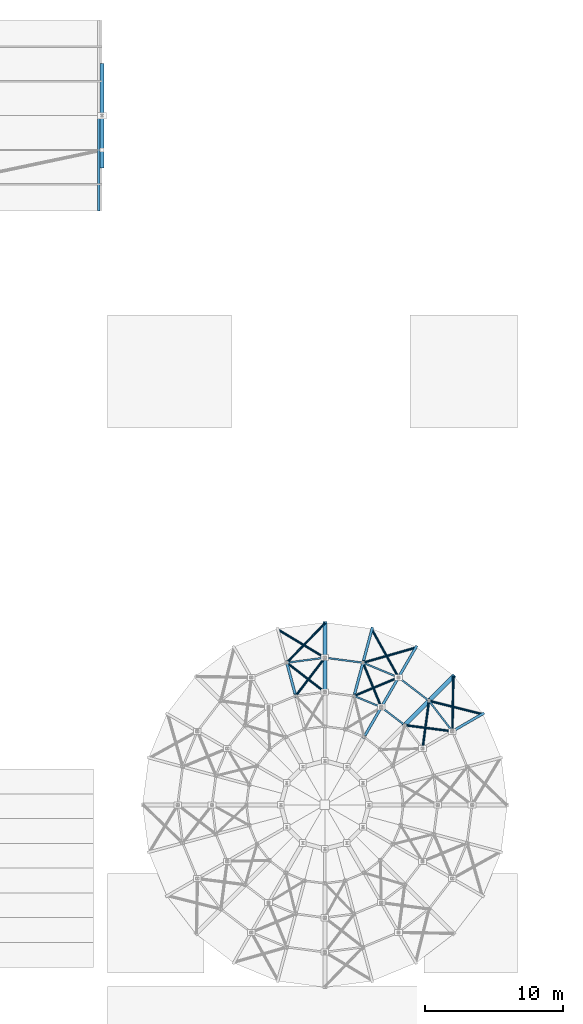
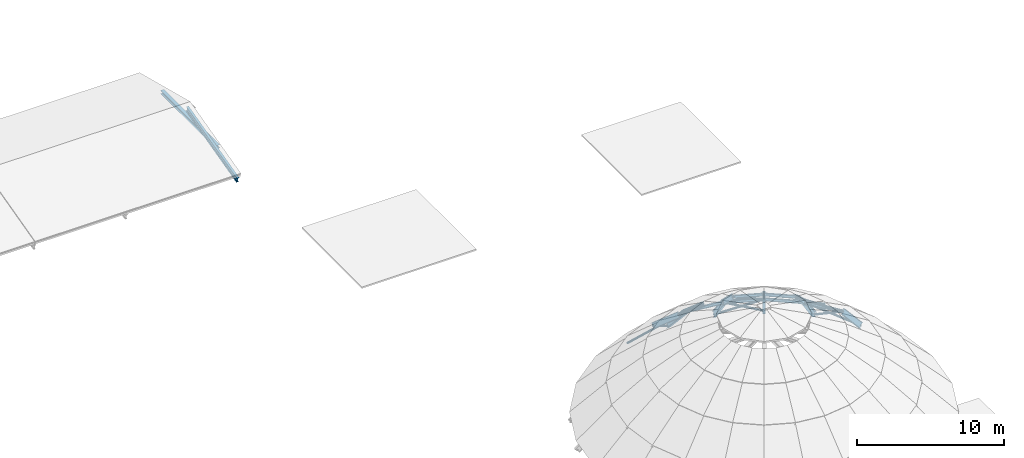
# One storey, part 18 of 31: 32 members.
"""IFC4 building model written with IfcOpenShell, lengths in metres."""

from ifc_helpers import new_model, si_unit, direction, frame, origin, origin_2d, place, context, subcontext, project, spatial, hollow_circle, i_section, extrude, material, material_profile, profile_set, type_object, element, save


model = new_model("IFC4")

# Units and contexts
model_context = context("Model", 3, precision=1e-05, world=origin(), true_north=direction((0.0, 1.0)))
body_context = subcontext(model_context, "Body", "Model", "MODEL_VIEW")
ifc_project = project(units=[si_unit("LENGTHUNIT", "METRE"), si_unit("AREAUNIT", "SQUARE_METRE"), si_unit("VOLUMEUNIT", "CUBIC_METRE"), si_unit("PLANEANGLEUNIT", "RADIAN"), si_unit("MASSUNIT", "GRAM", prefix="KILO")], contexts=[model_context])

# Site, building, storey
site_placement = place(None, origin())
site = spatial("IfcSite", under=ifc_project, at=site_placement, CompositionType="ELEMENT")
building_placement = place(site_placement, origin())
building = spatial("IfcBuilding", under=site, at=building_placement, Name="Clarverna Civic Hall", CompositionType="ELEMENT")
storey_placement = place(building_placement, frame((0.0, 0.0, 31.199951171875)))
storey = spatial("IfcBuildingStorey", under=building, at=storey_placement, Name="RF", CompositionType="ELEMENT", Elevation=31.199951171875)

# Members
ifc_material = material(Name="Steel S355", Category="steel")
ifc_material_profile_1 = material_profile(ifc_material, i_section(OverallWidth=0.280029296875, OverallDepth=0.27001953125, WebThickness=0.008056640625, FlangeThickness=0.012939453125, FilletRadius=0.02392578125, at=origin_2d()), Name="HEA 280")
ifc_profile_set_1 = profile_set([ifc_material_profile_1], Name="Steel S355")
member_type_1 = type_object("IfcMemberType", Name="CH-01", PredefinedType="CHORD", material=ifc_profile_set_1)
member_1_placement = place(storey_placement, frame((66.60009765625, 105.304931640625, -10.346923828125), z_axis=(0.0, 1.0, 0.0), x_axis=(-1.0, 0.0, 0.0)))
element("IfcMember", 1, at=member_1_placement, inside=storey, type_object=member_type_1, Name="CH-01-009", PredefinedType="CHORD", context=body_context, shape_type="SweptSolid", body=[
    extrude(i_section(OverallWidth=0.280029296875, OverallDepth=0.27001953125, WebThickness=0.008056640625, FlangeThickness=0.012939453125, FilletRadius=0.02392578125, at=origin_2d()), origin(), (0.0, 0.0, 1.0), 7.590087890625),
])
ifc_material_profile_2 = material_profile(ifc_material, i_section(OverallWidth=0.300048828125, OverallDepth=0.360107421875, WebThickness=0.012451171875, FlangeThickness=0.0224609375, FilletRadius=0.027099609375, at=origin_2d()), Name="HEB 360")
ifc_profile_set_2 = profile_set([ifc_material_profile_2], Name="Steel S355")
member_type_2 = type_object("IfcMemberType", Name="DR-01", PredefinedType="RAFTER", material=ifc_profile_set_2)
for number, where, z_axis, x_axis, name in (
    (2, (92.1337890625, 68.333740234375, -10.800048828125), (-0.480403409268, -0.480403409268, 0.733774576234), (0.707106781187, -0.707106781187, 0.0), "DR-01-002"),
    (3, (82.800048828125, 72.199951171875, -10.800048828125), (0.0, -0.679381571114, 0.733785173488), (1.0, 0.0, 0.0), "DR-01-003"),
):
    element("IfcMember", number, at=place(storey_placement, frame(where, z_axis=z_axis, x_axis=x_axis)), inside=storey, type_object=member_type_2, Name=name, PredefinedType="RAFTER", context=body_context, shape_type="SweptSolid", body=[
        extrude(i_section(OverallWidth=0.300048828125, OverallDepth=0.360107421875, WebThickness=0.012451171875, FlangeThickness=0.0224609375, FilletRadius=0.027099609375, at=origin_2d()), origin(), (0.0, 0.0, 1.0), 3.679931640625),
    ])
member_2_placement = place(storey_placement, frame((90.365966796875, 66.56591796875, -8.099853515625), z_axis=(-0.536103898201, -0.536103898201, 0.652062282812), x_axis=(0.707106781187, -0.707106781187, 0.0)))
element("IfcMember", 4, at=member_2_placement, inside=storey, type_object=member_type_2, Name="DR-01-010", PredefinedType="RAFTER", context=body_context, shape_type="SweptSolid", body=[
    extrude(i_section(OverallWidth=0.300048828125, OverallDepth=0.360107421875, WebThickness=0.012451171875, FlangeThickness=0.0224609375, FilletRadius=0.027099609375, at=origin_2d()), origin(), (0.0, 0.0, 1.0), 3.297119140625),
])
member_3_placement = place(storey_placement, frame((82.800048828125, 69.699951171875, -8.099853515625), z_axis=(0.0, -0.758199837863, 0.652022243381), x_axis=(1.0, 0.0, 0.0)))
element("IfcMember", 5, at=member_3_placement, inside=storey, type_object=member_type_2, Name="DR-01-011", PredefinedType="RAFTER", context=body_context, shape_type="SweptSolid", body=[
    extrude(i_section(OverallWidth=0.300048828125, OverallDepth=0.360107421875, WebThickness=0.012451171875, FlangeThickness=0.0224609375, FilletRadius=0.027099609375, at=origin_2d()), origin(), (0.0, 0.0, 1.0), 3.29736328125),
])
ifc_material_profile_3 = material_profile(ifc_material, i_section(OverallWidth=0.18994140625, OverallDepth=0.449951171875, WebThickness=0.009521484375, FlangeThickness=0.0146484375, FilletRadius=0.02099609375, at=origin_2d()), Name="IPE 450")
ifc_profile_set_3 = profile_set([ifc_material_profile_3], Name="Steel S355")
member_type_3 = type_object("IfcMemberType", Name="DR-02", PredefinedType="RAFTER", material=ifc_profile_set_3)
for number, where, z_axis, x_axis, name in (
    (6, (94.2314453125, 65.60009765625, -10.800048828125), (-0.588357355682, -0.339692113339, 0.733788041705), (0.500004234368, -0.866022959057, 0.0), "DR-02-002"),
    (7, (89.39990234375, 70.431396484375, -10.800048828125), (-0.339705373326, -0.588313973688, 0.733816685349), (0.865998541277, -0.500046524342, 0.0), "DR-02-003"),
    (8, (86.21630859375, 71.750244140625, -10.800048828125), (-0.175817765481, -0.656231516366, 0.733790372157), (0.965932795341, -0.258793034845, 0.0), "DR-02-004"),
):
    element("IfcMember", number, at=place(storey_placement, frame(where, z_axis=z_axis, x_axis=x_axis)), inside=storey, type_object=member_type_3, Name=name, PredefinedType="RAFTER", context=body_context, shape_type="SweptSolid", body=[
        extrude(i_section(OverallWidth=0.18994140625, OverallDepth=0.449951171875, WebThickness=0.009521484375, FlangeThickness=0.0146484375, FilletRadius=0.02099609375, at=origin_2d()), origin(), (0.0, 0.0, 1.0), 3.6796875),
    ])
for number, where, z_axis, x_axis, name in (
    (9, (88.14990234375, 68.2666015625, -8.099853515625), (-0.379083333654, -0.656658219956, 0.651993717999), (0.866047370643, -0.499961950354, 0.0), "DR-02-019"),
    (10, (85.5693359375, 69.33544921875, -8.099853515625), (-0.196215556614, -0.732365309611, 0.652027996808), (0.965932795341, -0.258793034845, 0.0), "DR-02-020"),
    (11, (80.030517578125, 69.33544921875, -8.099853515625), (0.196286747949, -0.73235466766, 0.652018522234), (0.965908379501, 0.258884148626, 0.0), "DR-02-021"),
):
    element("IfcMember", number, at=place(storey_placement, frame(where, z_axis=z_axis, x_axis=x_axis)), inside=storey, type_object=member_type_3, Name=name, PredefinedType="RAFTER", context=body_context, shape_type="SweptSolid", body=[
        extrude(i_section(OverallWidth=0.18994140625, OverallDepth=0.449951171875, WebThickness=0.009521484375, FlangeThickness=0.0146484375, FilletRadius=0.02099609375, at=origin_2d()), origin(), (0.0, 0.0, 1.0), 3.29736328125),
    ])
member_4_placement = place(storey_placement, frame((86.89990234375, 66.101318359375, -5.949951171875), z_axis=(-0.417314659277, -0.722802030951, 0.550822747538), x_axis=(0.866022959057, -0.500004234368, 0.0)))
element("IfcMember", 12, at=member_4_placement, inside=storey, type_object=member_type_3, Name="DR-02-035", PredefinedType="RAFTER", context=body_context, shape_type="SweptSolid", body=[
    extrude(i_section(OverallWidth=0.18994140625, OverallDepth=0.449951171875, WebThickness=0.009521484375, FlangeThickness=0.0146484375, FilletRadius=0.02099609375, at=origin_2d()), origin(), (0.0, 0.0, 1.0), 2.995361328125),
])
ifc_material_profile_4 = material_profile(ifc_material, hollow_circle(Radius=0.084228515625, WallThickness=0.010009765625, at=origin_2d()), Name="CHS 168.3x10.0")
ifc_profile_set_4 = profile_set([ifc_material_profile_4], Name="Steel S355")
member_type_4 = type_object("IfcMemberType", Name="LBD-1", PredefinedType="BRACE", material=ifc_profile_set_4)
for number, where, z_axis, x_axis, name in (
    (13, (94.2314453125, 65.60009765625, -10.800048828125), (-0.803118679732, 0.200665540139, 0.56101134326), (-0.242405862993, -0.970174931436, 0.0), "LBD-1-003"),
    (14, (92.1337890625, 68.333740234375, -10.800048828125), (-0.014000158431, -0.827683279404, 0.561020841466), (0.999856974208, -0.016912454794, 0.0), "LBD-1-004"),
    (15, (89.39990234375, 70.431396484375, -10.800048828125), (-0.795871858952, -0.227703554802, 0.561016109625), (0.275069112792, -0.961424455268, 0.0), "LBD-1-005"),
    (16, (86.21630859375, 71.750244140625, -10.800048828125), (0.401738458667, -0.723788644787, 0.561013554653), (0.874345084774, 0.485304721523, 0.0), "LBD-1-006"),
):
    element("IfcMember", number, at=place(storey_placement, frame(where, z_axis=z_axis, x_axis=x_axis)), inside=storey, type_object=member_type_4, Name=name, PredefinedType="BRACE", context=body_context, shape_type="SweptSolid", body=[
        extrude(hollow_circle(Radius=0.084228515625, WallThickness=0.010009765625, at=origin_2d()), origin(), (0.0, 0.0, 1.0), 4.81298828125),
    ])
for number, where, z_axis, x_axis, name in (
    (17, (82.800048828125, 72.199951171875, -10.800048828125), (-0.575405363697, -0.595136735918, 0.560999940276), (0.718924072564, -0.695088611537, 0.0), "LBD-1-007"),
    (18, (79.383544921875, 71.750244140625, -10.800048828125), (0.7098141176, -0.425969626954, 0.560993578723), (0.514567839098, 0.85744967139, 0.0), "LBD-1-008"),
):
    element("IfcMember", number, at=place(storey_placement, frame(where, z_axis=z_axis, x_axis=x_axis)), inside=storey, type_object=member_type_4, Name=name, PredefinedType="BRACE", context=body_context, shape_type="SweptSolid", body=[
        extrude(hollow_circle(Radius=0.084228515625, WallThickness=0.010009765625, at=origin_2d()), origin(), (0.0, 0.0, 1.0), 4.813232421875),
    ])
member_5_placement = place(storey_placement, frame((92.06640625, 64.35009765625, -8.099853515625), z_axis=(-0.844849676688, 0.109197043745, 0.523741376481), x_axis=(-0.128184001397, -0.991750402967, 0.0)))
element("IfcMember", 19, at=member_5_placement, inside=storey, type_object=member_type_4, Name="LBD-1-027", PredefinedType="BRACE", context=body_context, shape_type="SweptSolid", body=[
    extrude(hollow_circle(Radius=0.084228515625, WallThickness=0.010009765625, at=origin_2d()), origin(), (0.0, 0.0, 1.0), 4.10498046875),
])
member_6_placement = place(storey_placement, frame((90.365966796875, 66.56591796875, -8.099853515625), z_axis=(-0.113182923322, -0.844322007083, 0.523746097096), x_axis=(0.991134359988, -0.132863390184, 0.0)))
element("IfcMember", 20, at=member_6_placement, inside=storey, type_object=member_type_4, Name="LBD-1-028", PredefinedType="BRACE", context=body_context, shape_type="SweptSolid", body=[
    extrude(hollow_circle(Radius=0.084228515625, WallThickness=0.010009765625, at=origin_2d()), origin(), (0.0, 0.0, 1.0), 4.104736328125),
])
member_7_placement = place(storey_placement, frame((88.14990234375, 68.2666015625, -8.099853515625), z_axis=(-0.786254269359, -0.32788349372, 0.523733365808), x_axis=(0.384892976874, -0.922961210644, 0.0)))
element("IfcMember", 21, at=member_7_placement, inside=storey, type_object=member_type_4, Name="LBD-1-029", PredefinedType="BRACE", context=body_context, shape_type="SweptSolid", body=[
    extrude(hollow_circle(Radius=0.084228515625, WallThickness=0.010009765625, at=origin_2d()), origin(), (0.0, 0.0, 1.0), 4.10498046875),
])
member_8_placement = place(storey_placement, frame((85.5693359375, 69.33544921875, -8.099853515625), z_axis=(0.324122870372, -0.787826727306, 0.523711192017), x_axis=(0.92479227501, 0.380472401208, 0.0)))
element("IfcMember", 22, at=member_8_placement, inside=storey, type_object=member_type_4, Name="LBD-1-030", PredefinedType="BRACE", context=body_context, shape_type="SweptSolid", body=[
    extrude(hollow_circle(Radius=0.084228515625, WallThickness=0.010009765625, at=origin_2d()), origin(), (0.0, 0.0, 1.0), 4.105224609375),
])
member_9_placement = place(storey_placement, frame((82.800048828125, 69.699951171875, -8.099853515625), z_axis=(-0.517010782378, -0.677056338042, 0.52373138728), x_axis=(0.794775773574, -0.606903179873, 0.0)))
element("IfcMember", 23, at=member_9_placement, inside=storey, type_object=member_type_4, Name="LBD-1-031", PredefinedType="BRACE", context=body_context, shape_type="SweptSolid", body=[
    extrude(hollow_circle(Radius=0.084228515625, WallThickness=0.010009765625, at=origin_2d()), origin(), (0.0, 0.0, 1.0), 4.10498046875),
])
member_10_placement = place(storey_placement, frame((80.030517578125, 69.33544921875, -8.099853515625), z_axis=(0.674638419037, -0.520192370532, 0.523701156386), x_axis=(0.610624627518, 0.791920175439, 0.0)))
element("IfcMember", 24, at=member_10_placement, inside=storey, type_object=member_type_4, Name="LBD-1-032", PredefinedType="BRACE", context=body_context, shape_type="SweptSolid", body=[
    extrude(hollow_circle(Radius=0.084228515625, WallThickness=0.010009765625, at=origin_2d()), origin(), (0.0, 0.0, 1.0), 4.105224609375),
])
ifc_material_profile_5 = material_profile(ifc_material, i_section(OverallWidth=0.1201171875, OverallDepth=0.239990234375, WebThickness=0.006103515625, FlangeThickness=0.009765625, FilletRadius=0.014892578125, at=origin_2d()), Name="IPE 240")
ifc_profile_set_5 = profile_set([ifc_material_profile_5], Name="Steel S355")
member_type_5 = type_object("IfcMemberType", Name="PU-DR1", PredefinedType="PURLIN", material=ifc_profile_set_5)
member_11_placement = place(storey_placement, frame((92.06640625, 64.35009765625, -8.099853515625), z_axis=(-0.608802154131, 0.793322089145, 0.0), x_axis=(-0.793322089145, -0.608802154131, 0.0)))
element("IfcMember", 25, at=member_11_placement, inside=storey, type_object=member_type_5, Name="PU-DR1-003", PredefinedType="PURLIN", context=body_context, shape_type="SweptSolid", body=[
    extrude(i_section(OverallWidth=0.1201171875, OverallDepth=0.239990234375, WebThickness=0.006103515625, FlangeThickness=0.009765625, FilletRadius=0.014892578125, at=origin_2d()), origin(), (0.0, 0.0, 1.0), 2.79296875),
])
member_12_placement = place(storey_placement, frame((90.365966796875, 66.56591796875, -8.099853515625), z_axis=(-0.793312271081, 0.608814947708, 0.0), x_axis=(-0.608814947708, -0.793312271081, 0.0)))
element("IfcMember", 26, at=member_12_placement, inside=storey, type_object=member_type_5, Name="PU-DR1-004", PredefinedType="PURLIN", context=body_context, shape_type="SweptSolid", body=[
    extrude(i_section(OverallWidth=0.1201171875, OverallDepth=0.239990234375, WebThickness=0.006103515625, FlangeThickness=0.009765625, FilletRadius=0.014892578125, at=origin_2d()), origin(), (0.0, 0.0, 1.0), 2.79345703125),
])
for number, where, z_axis, x_axis, name in (
    (27, (88.14990234375, 68.2666015625, -8.099853515625), (-0.92388686727, 0.382665724211, 0.0), (-0.382665724211, -0.92388686727, 0.0), "PU-DR1-005"),
    (28, (85.5693359375, 69.33544921875, -8.099853515625), (-0.991448642066, 0.130497471798, 0.0), (-0.130497471798, -0.991448642066, 0.0), "PU-DR1-006"),
):
    element("IfcMember", number, at=place(storey_placement, frame(where, z_axis=z_axis, x_axis=x_axis)), inside=storey, type_object=member_type_5, Name=name, PredefinedType="PURLIN", context=body_context, shape_type="SweptSolid", body=[
        extrude(i_section(OverallWidth=0.1201171875, OverallDepth=0.239990234375, WebThickness=0.006103515625, FlangeThickness=0.009765625, FilletRadius=0.014892578125, at=origin_2d()), origin(), (0.0, 0.0, 1.0), 2.793212890625),
    ])
member_13_placement = place(storey_placement, frame((82.800048828125, 69.699951171875, -8.099853515625), z_axis=(-0.991450130364, -0.130486164019, 0.0), x_axis=(0.130486164019, -0.991450130364, 0.0)))
element("IfcMember", 29, at=member_13_placement, inside=storey, type_object=member_type_5, Name="PU-DR1-007", PredefinedType="PURLIN", context=body_context, shape_type="SweptSolid", body=[
    extrude(i_section(OverallWidth=0.1201171875, OverallDepth=0.239990234375, WebThickness=0.006103515625, FlangeThickness=0.009765625, FilletRadius=0.014892578125, at=origin_2d()), origin(), (0.0, 0.0, 1.0), 2.79345703125),
])
for number, where, z_axis, x_axis, name in (
    (30, (88.598388671875, 64.79833984375, -5.949951171875), (-0.793424600985, 0.608668549009, 0.0), (-0.608668549009, -0.793424600985, 0.0), "PU-DR1-028"),
    (31, (86.89990234375, 66.101318359375, -5.949951171875), (-0.923844440487, 0.382768141022, 0.0), (-0.382768141022, -0.923844440487, 0.0), "PU-DR1-029"),
):
    element("IfcMember", number, at=place(storey_placement, frame(where, z_axis=z_axis, x_axis=x_axis)), inside=storey, type_object=member_type_5, Name=name, PredefinedType="PURLIN", context=body_context, shape_type="SweptSolid", body=[
        extrude(i_section(OverallWidth=0.1201171875, OverallDepth=0.239990234375, WebThickness=0.006103515625, FlangeThickness=0.009765625, FilletRadius=0.014892578125, at=origin_2d()), origin(), (0.0, 0.0, 1.0), 2.140625),
    ])
ifc_material_profile_6 = material_profile(ifc_material, i_section(OverallWidth=0.179931640625, OverallDepth=0.39990234375, WebThickness=0.008544921875, FlangeThickness=0.013427734375, FilletRadius=0.02099609375, at=origin_2d()), Name="IPE 400")
ifc_profile_set_6 = profile_set([ifc_material_profile_6], Name="Steel S355")
member_type_6 = type_object("IfcMemberType", Name="RF-01", PredefinedType="RAFTER", material=ifc_profile_set_6)
member_14_placement = place(storey_placement, frame((66.360107421875, 102.199951171875, -11.14990234375), z_axis=(0.0, 0.968150204364, 0.250370089647), x_axis=(-1.0, 0.0, 0.0)))
element("IfcMember", 32, at=member_14_placement, inside=storey, type_object=member_type_6, Name="RF-01-017", PredefinedType="RAFTER", context=body_context, shape_type="SweptSolid", body=[
    extrude(i_section(OverallWidth=0.179931640625, OverallDepth=0.39990234375, WebThickness=0.008544921875, FlangeThickness=0.013427734375, FilletRadius=0.02099609375, at=origin_2d()), origin(), (0.0, 0.0, 1.0), 7.127197265625),
])

save(model, "model.ifc")
